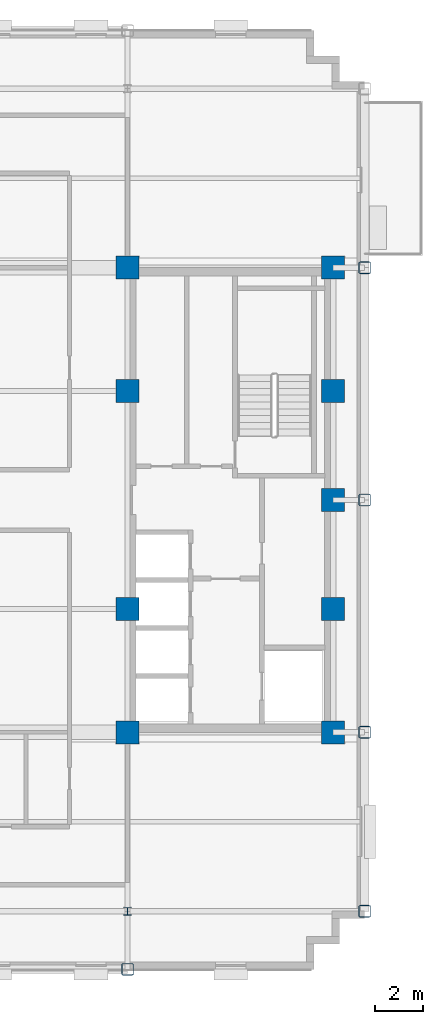
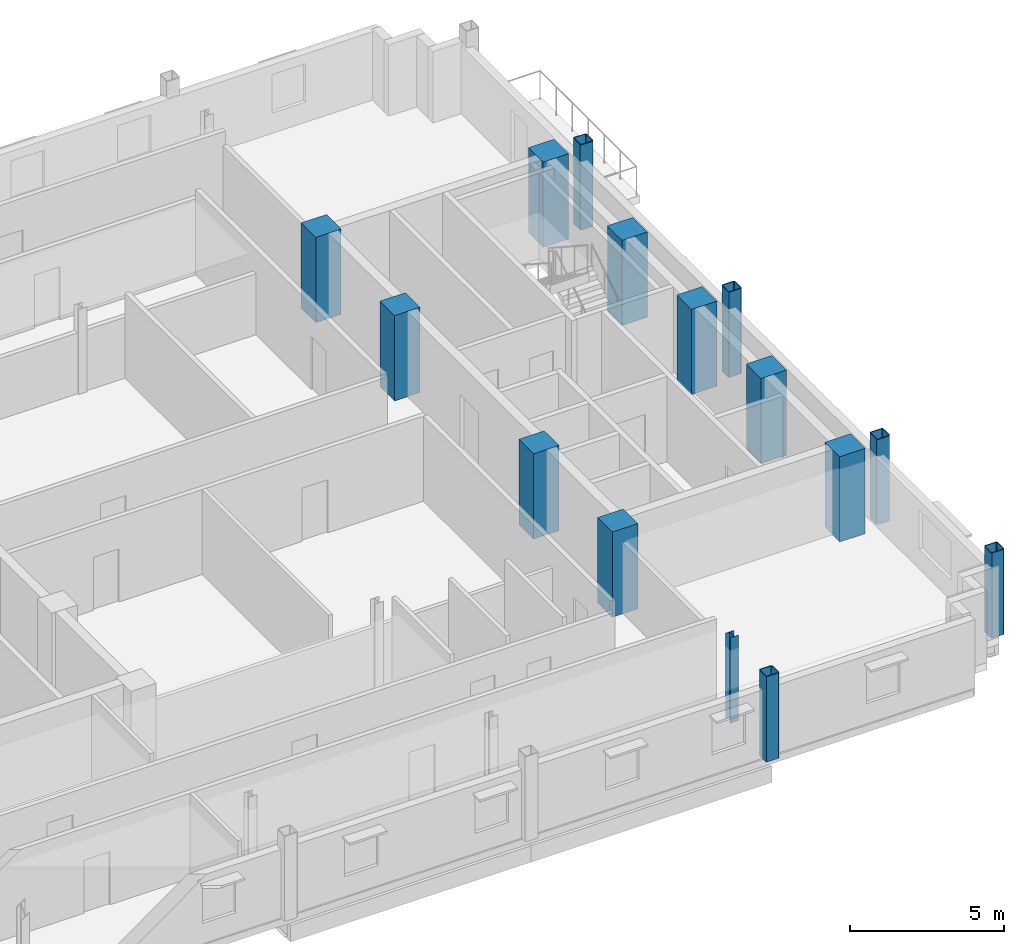
# One storey, part 2 of 13: 15 columns.
"""IFC4 building model written with IfcOpenShell, lengths in metres."""

from ifc_helpers import new_model, si_unit, direction, frame, origin, origin_2d, place, context, subcontext, project, spatial, rectangle, hollow_rectangle, i_section, extrude, material, material_profile, profile_set, type_object, element, save


model = new_model("IFC4")

# Units and contexts
model_context = context("Model", 3, precision=1e-05, world=origin(), true_north=direction((0.0, 1.0)))
body_context = subcontext(model_context, "Body", "Model", "MODEL_VIEW")
ifc_project = project(units=[si_unit("LENGTHUNIT", "METRE"), si_unit("AREAUNIT", "SQUARE_METRE"), si_unit("VOLUMEUNIT", "CUBIC_METRE"), si_unit("PLANEANGLEUNIT", "RADIAN"), si_unit("MASSUNIT", "GRAM", prefix="KILO")], contexts=[model_context])

# Site, building, storey
site_placement = place(None, origin())
site = spatial("IfcSite", under=ifc_project, at=site_placement, CompositionType="ELEMENT")
building_placement = place(site_placement, origin())
building = spatial("IfcBuilding", under=site, at=building_placement, Name="Nuvemarco Arch Tower", CompositionType="ELEMENT")
storey_placement = place(building_placement, frame((0.0, 0.0, 212.800048828125)))
storey = spatial("IfcBuildingStorey", under=building, at=storey_placement, Name="L56", CompositionType="ELEMENT", Elevation=212.800048828125)

# Columns
ifc_material_1 = material(Name="Concrete C50/60", Category="concrete")
ifc_material_profile_1 = material_profile(ifc_material_1, rectangle(XDim=0.949951171875, YDim=0.949951171875, at=origin_2d()), Name="RC-COL-950x950")
ifc_profile_set_1 = profile_set([ifc_material_profile_1], Name="Concrete C50/60")
column_type_1 = type_object("IfcColumnType", Name="COL-CORE-950", PredefinedType="COLUMN", material=ifc_profile_set_1)
for number, where, z_axis, x_axis, name in (
    (1, (9.0, -9.60009765625, 0.0), (0.0, 0.0, 1.0), (1.0, 0.0, 0.0), "L56 column CC_+9.0_-9.6"),
    (2, (9.0, -4.5, 0.0), (0.0, 0.0, 1.0), (1.0, 0.0, 0.0), "L56 column CC_+9.0_-4.5"),
    (3, (9.0, 4.5, 0.0), (0.0, 0.0, 1.0), (1.0, 0.0, 0.0), "L56 column CC_+9.0_+4.5"),
    (4, (9.0, 9.60009765625, 0.0), (0.0, 0.0, 1.0), (1.0, 0.0, 0.0), "L56 column CC_+9.0_+9.6"),
    (5, (17.5, -9.60009765625, 0.0), (0.0, 0.0, 1.0), (1.0, 0.0, 0.0), "L56 column CC_+17.5_-9.6"),
    (6, (17.5, -4.5, 0.0), (0.0, 0.0, 1.0), (1.0, 0.0, 0.0), "L56 column CC_+17.5_-4.5"),
    (7, (17.5, 4.5, 0.0), (0.0, 0.0, 1.0), (1.0, 0.0, 0.0), "L56 column CC_+17.5_+4.5"),
    (8, (17.5, 9.60009765625, 0.0), (0.0, 0.0, 1.0), (1.0, 0.0, 0.0), "L56 column CC_+17.5_+9.6"),
    (9, (17.5, 0.0, 0.0), (0.0, 0.0, 1.0), (1.0, 0.0, 0.0), "L56 column CC_+17.5_+0.0"),
):
    element("IfcColumn", number, at=place(storey_placement, frame(where, z_axis=z_axis, x_axis=x_axis)), inside=storey, type_object=column_type_1, Name=name, PredefinedType="COLUMN", context=body_context, shape_type="SweptSolid", body=[
        extrude(rectangle(XDim=0.949951171875, YDim=0.949951171875, at=origin_2d()), origin(), (0.0, 0.0, 1.0), 3.369873046875),
    ])
ifc_material_2 = material(Name="Steel S355", Category="steel")
ifc_material_profile_2 = material_profile(ifc_material_2, hollow_rectangle(XDim=0.5, YDim=0.5, WallThickness=0.031982421875, InnerFilletRadius=0.031982421875, OuterFilletRadius=0.06396484375, at=origin_2d()), Name="SHS500x500x32")
ifc_profile_set_2 = profile_set([ifc_material_profile_2], Name="Steel S355")
column_type_2 = type_object("IfcColumnType", Name="COL-EXO-500", PredefinedType="COLUMN", material=ifc_profile_set_2)
for number, where, z_axis, x_axis, name in (
    (10, (18.800048828125, -17.0, 0.0), (0.0, 0.0, 1.0), (1.0, 0.0, 0.0), "L56 column CX_+18.8_-17.0"),
    (11, (18.800048828125, -9.60009765625, 0.0), (0.0, 0.0, 1.0), (1.0, 0.0, 0.0), "L56 column CX_+18.8_-9.6"),
    (12, (18.800048828125, 0.0, 0.0), (0.0, 0.0, 1.0), (1.0, 0.0, 0.0), "L56 column CX_+18.8_+0.0"),
    (13, (18.800048828125, 9.60009765625, 0.0), (0.0, 0.0, 1.0), (1.0, 0.0, 0.0), "L56 column CX_+18.8_+9.6"),
    (14, (9.0, -19.39990234375, 0.0), (0.0, 0.0, 1.0), (1.0, 0.0, 0.0), "L56 column CY_+9.0_-19.4"),
):
    element("IfcColumn", number, at=place(storey_placement, frame(where, z_axis=z_axis, x_axis=x_axis)), inside=storey, type_object=column_type_2, Name=name, PredefinedType="COLUMN", context=body_context, shape_type="SweptSolid", body=[
        extrude(hollow_rectangle(XDim=0.5, YDim=0.5, WallThickness=0.031982421875, InnerFilletRadius=0.031982421875, OuterFilletRadius=0.06396484375, at=origin_2d()), origin(), (0.0, 0.0, 1.0), 3.369873046875),
    ])
ifc_material_profile_3 = material_profile(ifc_material_2, i_section(OverallWidth=0.31005859375, OverallDepth=0.31005859375, WebThickness=0.015380859375, FlangeThickness=0.015380859375, FilletRadius=0.014892578125, at=origin_2d()), Name="HP310x110")
ifc_profile_set_3 = profile_set([ifc_material_profile_3], Name="Steel S355")
column_type_3 = type_object("IfcColumnType", Name="COL-STL-HP310", PredefinedType="COLUMN", material=ifc_profile_set_3)
column_placement = place(storey_placement, frame((9.0, -17.0, 0.0), z_axis=(0.0, 0.0, 1.0), x_axis=(1.0, 0.0, 0.0)))
element("IfcColumn", 15, at=column_placement, inside=storey, type_object=column_type_3, Name="L56 column CI_+9.0_-17.0", PredefinedType="COLUMN", context=body_context, shape_type="SweptSolid", body=[
    extrude(i_section(OverallWidth=0.31005859375, OverallDepth=0.31005859375, WebThickness=0.015380859375, FlangeThickness=0.015380859375, FilletRadius=0.014892578125, at=origin_2d()), origin(), (0.0, 0.0, 1.0), 3.369873046875),
])

save(model, "model.ifc")
